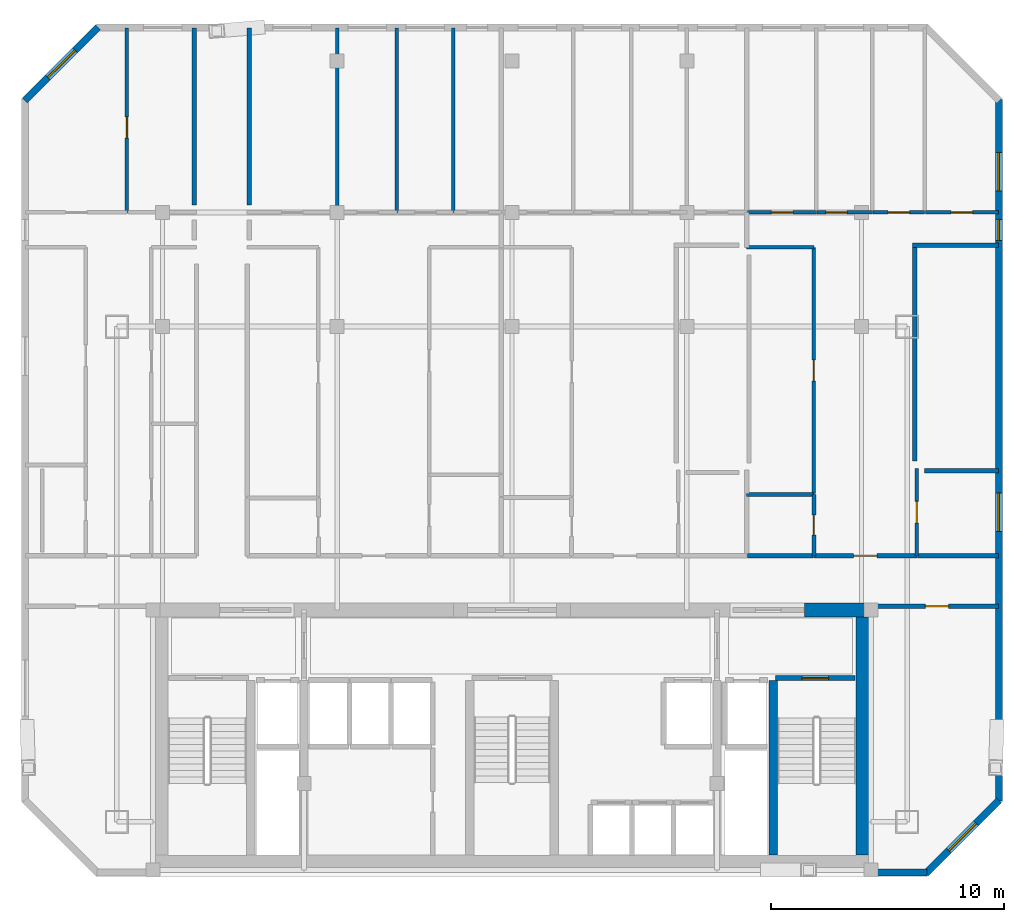
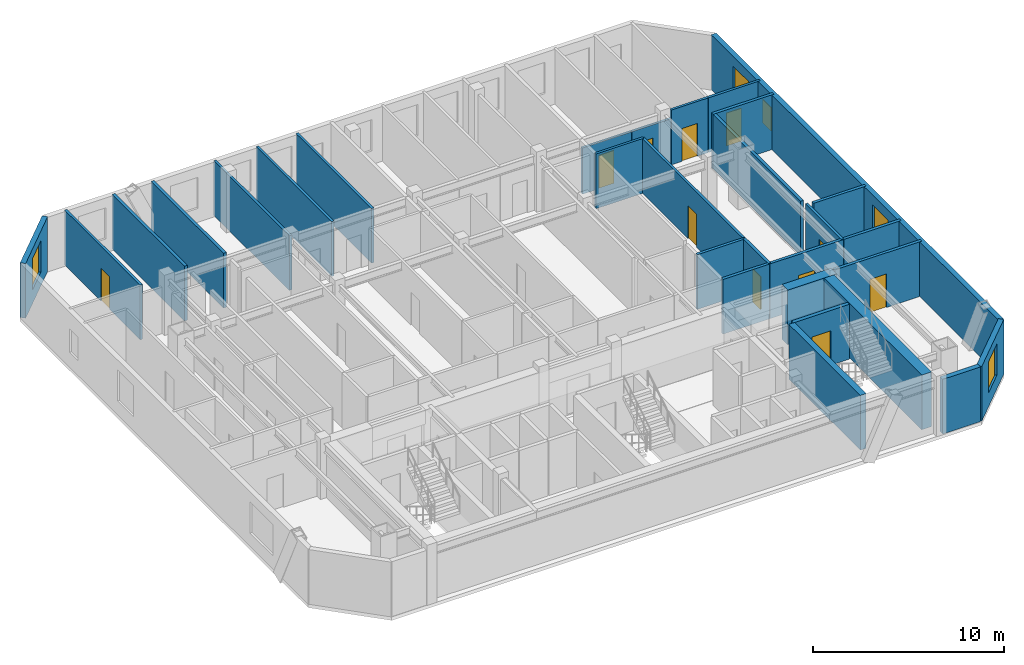
# One storey, part 5 of 7: 30 walls, 11 doors, 5 windows, 16 openings.
"""IFC4 building model written with IfcOpenShell, lengths in metres."""

from ifc_helpers import new_model, si_unit, direction, frame, frame_2d, origin, place, context, subcontext, project, spatial, rectangle, extrude, material, layer, layer_set, type_object, element, fill, save


model = new_model("IFC4")

# Units and contexts
model_context = context("Model", 3, precision=1e-05, world=origin(), true_north=direction((0.0, 1.0)))
body_context = subcontext(model_context, "Body", "Model", "MODEL_VIEW")
ifc_project = project(units=[si_unit("LENGTHUNIT", "METRE"), si_unit("AREAUNIT", "SQUARE_METRE"), si_unit("VOLUMEUNIT", "CUBIC_METRE"), si_unit("PLANEANGLEUNIT", "RADIAN"), si_unit("MASSUNIT", "GRAM", prefix="KILO")], contexts=[model_context])

# Site, building, storey
site_placement = place(None, origin())
site = spatial("IfcSite", under=ifc_project, at=site_placement, CompositionType="ELEMENT")
building_placement = place(site_placement, origin())
building = spatial("IfcBuilding", under=site, at=building_placement, Name="Ventersveld Concourse Tower", CompositionType="ELEMENT")
storey_placement = place(building_placement, frame((0.0, 0.0, 242.64990234375)))
storey = spatial("IfcBuildingStorey", under=building, at=storey_placement, Name="L60", CompositionType="ELEMENT", Elevation=242.64990234375)

# Walls
ifc_material_1 = material(Name="Concrete C50/60", Category="concrete")
ifc_layer_1 = layer(ifc_material_1, 0.35009765625)
ifc_layer_set_1 = layer_set([ifc_layer_1], Name="Concrete C50/60")
wall_type_1 = type_object("IfcWallType", Name="WL-CORE-350U", PredefinedType="SHEAR", material=ifc_layer_set_1)
wall_1_placement = place(storey_placement, frame((39.9599609375, 0.919921875, 0.0), z_axis=(0.0, 0.0, 1.0), x_axis=(0.0, 1.0, 0.0)))
element("IfcWall", 1, at=wall_1_placement, inside=storey, type_object=wall_type_1, Name="L60 Core Internal Shear Web W-ST2-W", PredefinedType="SHEAR", context=body_context, shape_type="SweptSolid", body=[
    extrude(rectangle(XDim=7.5, YDim=0.35009765625, at=frame_2d((3.75, 0.0))), origin(), (0.0, 0.0, 1.0), 3.5),
])
ifc_layer_2 = layer(ifc_material_1, 0.60009765625)
ifc_layer_set_2 = layer_set([ifc_layer_2], Name="Concrete C50/60")
wall_type_2 = type_object("IfcWallType", Name="WL-CORE-600", PredefinedType="SHEAR", material=ifc_layer_set_2)
wall_2_placement = place(storey_placement, frame((43.800048828125, 0.919921875, 0.0), z_axis=(0.0, 0.0, 1.0), x_axis=(0.0, 1.0, 0.0)))
element("IfcWall", 2, at=wall_2_placement, inside=storey, type_object=wall_type_2, Name="L60 Rear Core East Shear Wall", PredefinedType="SHEAR", context=body_context, shape_type="SweptSolid", body=[
    extrude(rectangle(XDim=10.530029296875, YDim=0.60009765625, at=frame_2d((5.26513671875, 0.0))), origin(), (0.0, 0.0, 1.0), 3.5),
])
wall_3_placement = place(storey_placement, frame((41.300048828125, 11.449951171875, 0.0), z_axis=(0.0, 0.0, 1.0), x_axis=(1.0, 0.0, 0.0)))
element("IfcWall", 3, at=wall_3_placement, inside=storey, type_object=wall_type_2, Name="L60 Rear Core North Shear Wall NE", PredefinedType="SHEAR", context=body_context, shape_type="SweptSolid", body=[
    extrude(rectangle(XDim=2.949951171875, YDim=0.60009765625, at=frame_2d((1.47509765625, 0.0))), origin(), (0.0, 0.0, 1.0), 3.5),
])

# Wall, opening, door
ifc_material_2 = material(Name="Fire-rated autoclaved aerated masonry blockwork", Category="masonry")
ifc_layer_3 = layer(ifc_material_2, 0.179931640625)
ifc_layer_set_3 = layer_set([ifc_layer_3], Name="Fire-rated autoclaved aerated masonry blockwork")
wall_type_3 = type_object("IfcWallType", Name="WL-CORR-180", PredefinedType="PARTITIONING", material=ifc_layer_set_3)
wall_4_placement = place(storey_placement, frame((44.35498046875, 11.60009765625, 0.0), z_axis=(0.0, 0.0, 1.0), x_axis=(1.0, 0.0, 0.0)))
wall_4 = element("IfcWall", 4, at=wall_4_placement, inside=storey, type_object=wall_type_3, Name="L60 Interior Partition SP-L60-SE-OFF-SP-L60-COR", PredefinedType="PARTITIONING", context=body_context, shape_type="SweptSolid", body=[
    extrude(rectangle(XDim=5.25927734375, YDim=0.179931640625, at=frame_2d((2.629638671875, 0.0))), origin(), (0.0, 0.0, 1.0), 3.5),
])
opening_1_placement = place(wall_4_placement, frame((2.129638671875, 0.0, 0.0)))
opening_1 = element("IfcOpeningElement", 5, at=opening_1_placement, cuts=wall_4, Name="Opening FD3", PredefinedType="OPENING", context=body_context, shape_type="SweptSolid", body=[
    extrude(rectangle(XDim=1.0, YDim=2.14990234375, at=frame_2d((0.5, 1.074951171875))), frame((0.0, 0.10009765625, 0.0), z_axis=(0.0, -1.0, 0.0), x_axis=(1.0, 0.0, 0.0)), (0.0, 0.0, 1.0), 0.199951171875),
])
ifc_material_3 = material(Name="Solid-core hardwood veneer timber", Category="wood")
door_type_1 = type_object("IfcDoorType", Name="DR-FLAT-100", OperationType="NOTDEFINED", PredefinedType="DOOR", material=ifc_material_3)
door_1_placement = place(opening_1_placement, origin())
door_1 = element("IfcDoor", 6, at=door_1_placement, inside=storey, type_object=door_type_1, Name="L60 Interior Door SP-L60-SE-OFF to SP-L60-COR (D-L60-2876)", OperationType="SINGLE_SWING_RIGHT", OverallHeight=2.14990234375, OverallWidth=1.0, PredefinedType="DOOR", context=body_context, shape_type="SweptSolid", body=[
    extrude(rectangle(XDim=1.0, YDim=2.14990234375, at=frame_2d((0.5, 1.074951171875))), frame((0.0, 0.02490234375, 0.0), z_axis=(0.0, -1.0, 0.0), x_axis=(1.0, 0.0, 0.0)), (0.0, 0.0, 1.0), 0.050048828125),
])
fill(opening_1, door_1)

wall_5_placement = place(storey_placement, frame((41.69677734375, 13.77001953125, 0.0), z_axis=(0.0, 0.0, 1.0), x_axis=(1.0, 0.0, 0.0)))
wall_5 = element("IfcWall", 7, at=wall_5_placement, inside=storey, type_object=wall_type_3, Name="L60 Interior Partition SP-L60-COR-SP-L60-60N3-LIV", PredefinedType="PARTITIONING", context=body_context, shape_type="SweptSolid", body=[
    extrude(rectangle(XDim=4.4267578125, YDim=0.179931640625, at=frame_2d((2.21337890625, 0.0))), origin(), (0.0, 0.0, 1.0), 3.5),
])
opening_2_placement = place(wall_5_placement, frame((1.71337890625, 0.0, 0.0)))
opening_2 = element("IfcOpeningElement", 8, at=opening_2_placement, cuts=wall_5, Name="Opening FD3", PredefinedType="OPENING", context=body_context, shape_type="SweptSolid", body=[
    extrude(rectangle(XDim=1.0, YDim=2.14990234375, at=frame_2d((0.5, 1.074951171875))), frame((0.0, 0.10009765625, 0.0), z_axis=(0.0, -1.0, 0.0), x_axis=(1.0, 0.0, 0.0)), (0.0, 0.0, 1.0), 0.199951171875),
])
door_2_placement = place(opening_2_placement, origin())
door_2 = element("IfcDoor", 9, at=door_2_placement, inside=storey, type_object=door_type_1, Name="L60 Interior Door SP-L60-COR to SP-L60-60N3-LIV (FD-L60-2880)", OperationType="SINGLE_SWING_RIGHT", OverallHeight=2.14990234375, OverallWidth=1.0, PredefinedType="DOOR", context=body_context, shape_type="SweptSolid", body=[
    extrude(rectangle(XDim=1.0, YDim=2.14990234375, at=frame_2d((0.5, 1.074951171875))), frame((0.0, 0.02490234375, 0.0), z_axis=(0.0, -1.0, 0.0), x_axis=(1.0, 0.0, 0.0)), (0.0, 0.0, 1.0), 0.050048828125),
])
fill(opening_2, door_2)

# Walls
wall_6_placement = place(storey_placement, frame((38.858642578125, 13.77001953125, 0.0), z_axis=(0.0, 0.0, 1.0), x_axis=(1.0, 0.0, 0.0)))
element("IfcWall", 10, at=wall_6_placement, inside=storey, type_object=wall_type_3, Name="L60 Interior Partition SP-L60-COR-SP-L60-60N3-BATH", PredefinedType="PARTITIONING", context=body_context, shape_type="SweptSolid", body=[
    extrude(rectangle(XDim=2.80810546875, YDim=0.179931640625, at=frame_2d((1.404052734375, 0.0))), origin(), (0.0, 0.0, 1.0), 3.5),
])
wall_7_placement = place(storey_placement, frame((46.153564453125, 13.77001953125, 0.0), z_axis=(0.0, 0.0, 1.0), x_axis=(1.0, 0.0, 0.0)))
element("IfcWall", 11, at=wall_7_placement, inside=storey, type_object=wall_type_3, Name="L60 Interior Partition SP-L60-COR-SP-L60-60N3-KIT", PredefinedType="PARTITIONING", context=body_context, shape_type="SweptSolid", body=[
    extrude(rectangle(XDim=3.460693359375, YDim=0.179931640625, at=frame_2d((1.73046875, 0.0))), origin(), (0.0, 0.0, 1.0), 3.5),
])
for number, where, z_axis, x_axis, name in (
    (12, (15.1201171875, 36.41064453125, 0.0), (0.0, 0.0, 1.0), (0.0, -1.0, 0.0), "L60 Room Enclosure Wall SP-L60-60NW-BR2"),
    (13, (17.47998046875, 28.824951171875, 0.0), (0.0, 0.0, 1.0), (0.0, 1.0, 0.0), "L60 Room Enclosure Wall SP-L60-60N1-BR1"),
):
    element("IfcWall", number, at=place(storey_placement, frame(where, z_axis=z_axis, x_axis=x_axis)), inside=storey, type_object=wall_type_3, Name=name, PredefinedType="PARTITIONING", context=body_context, shape_type="SweptSolid", body=[
        extrude(rectangle(XDim=7.585693359375, YDim=0.179931640625, at=frame_2d((3.79296875, 0.0))), origin(), (0.0, 0.0, 1.0), 3.5),
    ])
wall_8_placement = place(storey_placement, frame((49.6142578125, 27.090087890625, 0.0), z_axis=(0.0, 0.0, 1.0), x_axis=(-1.0, 0.0, 0.0)))
element("IfcWall", 14, at=wall_8_placement, inside=storey, type_object=wall_type_3, Name="L60 Room Enclosure Wall SP-L60-60N3-LIV", PredefinedType="PARTITIONING", context=body_context, shape_type="SweptSolid", body=[
    extrude(rectangle(XDim=3.6806640625, YDim=0.179931640625, at=frame_2d((1.84033203125, 0.0))), origin(), (0.0, 0.0, 1.0), 3.5),
])
wall_9_placement = place(storey_placement, frame((46.028564453125, 27.18505859375, 0.0), z_axis=(0.0, 0.0, 1.0), x_axis=(0.0, -1.0, 0.0)))
element("IfcWall", 15, at=wall_9_placement, inside=storey, type_object=wall_type_3, Name="L60 Room Enclosure Wall SP-L60-60N3-LIV", PredefinedType="PARTITIONING", context=body_context, shape_type="SweptSolid", body=[
    extrude(rectangle(XDim=9.357177734375, YDim=0.179931640625, at=frame_2d((4.6787109375, 0.0))), origin(), (0.0, 0.0, 1.0), 3.5),
])
wall_10_placement = place(storey_placement, frame((46.443603515625, 17.418212890625, 0.0), z_axis=(0.0, 0.0, 1.0), x_axis=(1.0, 0.0, 0.0)))
element("IfcWall", 16, at=wall_10_placement, inside=storey, type_object=wall_type_3, Name="L60 Room Enclosure Wall SP-L60-60N3-KIT", PredefinedType="PARTITIONING", context=body_context, shape_type="SweptSolid", body=[
    extrude(rectangle(XDim=3.170654296875, YDim=0.179931640625, at=frame_2d((1.58544921875, 0.0))), origin(), (0.0, 0.0, 1.0), 3.5),
])

# Wall, opening, door
ifc_layer_4 = layer(ifc_material_2, 0.219970703125)
ifc_layer_set_4 = layer_set([ifc_layer_4], Name="Fire-rated autoclaved aerated masonry blockwork")
wall_type_4 = type_object("IfcWallType", Name="WL-HOIST-220", PredefinedType="SOLIDWALL", material=ifc_layer_set_4)
wall_11_placement = place(storey_placement, frame((40.06005859375, 8.52001953125, 0.0), z_axis=(0.0, 0.0, 1.0), x_axis=(1.0, 0.0, 0.0)))
wall_11 = element("IfcWall", 17, at=wall_11_placement, inside=storey, type_object=wall_type_4, Name="L60 Escape Stair ST02 Fire Wall", PredefinedType="SOLIDWALL", context=body_context, shape_type="SweptSolid", body=[
    extrude(rectangle(XDim=3.39990234375, YDim=0.219970703125, at=frame_2d((1.699951171875, 0.0))), origin(), (0.0, 0.0, 1.0), 3.5),
])
opening_3_placement = place(wall_11_placement, frame((1.125, 0.0, 0.0)))
opening_3 = element("IfcOpeningElement", 18, at=opening_3_placement, cuts=wall_11, Name="Opening FD1", PredefinedType="OPENING", context=body_context, shape_type="SweptSolid", body=[
    extrude(rectangle(XDim=1.14990234375, YDim=2.199951171875, at=frame_2d((0.574951171875, 1.10009765625))), frame((0.0, 0.1201171875, 0.0), z_axis=(0.0, -1.0, 0.0), x_axis=(1.0, 0.0, 0.0)), (0.0, 0.0, 1.0), 0.239990234375),
])
ifc_material_4 = material(Name="Galvanised painted steel", Category="steel")
door_type_2 = type_object("IfcDoorType", Name="DR-STAIR-115", OperationType="NOTDEFINED", PredefinedType="DOOR", material=ifc_material_4)
door_3_placement = place(opening_3_placement, origin())
door_3 = element("IfcDoor", 19, at=door_3_placement, inside=storey, type_object=door_type_2, Name="L60 Escape Stair Door ST02 (SD-L60-2867)", OperationType="SINGLE_SWING_RIGHT", OverallHeight=2.199951171875, OverallWidth=1.14990234375, PredefinedType="DOOR", context=body_context, shape_type="SweptSolid", body=[
    extrude(rectangle(XDim=1.14990234375, YDim=2.199951171875, at=frame_2d((0.574951171875, 1.10009765625))), frame((0.0, 0.02490234375, 0.0), z_axis=(0.0, -1.0, 0.0), x_axis=(1.0, 0.0, 0.0)), (0.0, 0.0, 1.0), 0.050048828125),
])
fill(opening_3, door_3)

ifc_material_5 = material(Name="Autoclaved aerated masonry blockwork", Category="masonry")
ifc_layer_5 = layer(ifc_material_5, 0.14990234375)
ifc_layer_set_5 = layer_set([ifc_layer_5], Name="Autoclaved aerated masonry blockwork")
wall_type_5 = type_object("IfcWallType", Name="WL-INT-150", PredefinedType="PARTITIONING", material=ifc_layer_set_5)
wall_12_placement = place(storey_placement, frame((12.22998046875, 28.4951171875, 0.0), z_axis=(0.0, 0.0, 1.0), x_axis=(0.0, 1.0, 0.0)))
wall_12 = element("IfcWall", 20, at=wall_12_placement, inside=storey, type_object=wall_type_5, Name="L60 Interior Partition SP-L60-60NW-BR1-SP-L60-60NW-BR2", PredefinedType="PARTITIONING", context=body_context, shape_type="SweptSolid", body=[
    extrude(rectangle(XDim=7.91552734375, YDim=0.14990234375, at=frame_2d((3.957763671875, 0.0))), origin(), (0.0, 0.0, 1.0), 3.5),
])
opening_4_placement = place(wall_12_placement, frame((3.19140625, 0.0, 0.0)))
opening_4 = element("IfcOpeningElement", 21, at=opening_4_placement, cuts=wall_12, Name="Opening ID1", PredefinedType="OPENING", context=body_context, shape_type="SweptSolid", body=[
    extrude(rectangle(XDim=0.919921875, YDim=2.10009765625, at=frame_2d((0.4599609375, 1.050048828125))), frame((0.0, 0.0849609375, 0.0), z_axis=(0.0, -1.0, 0.0), x_axis=(1.0, 0.0, 0.0)), (0.0, 0.0, 1.0), 0.169921875),
])
door_type_3 = type_object("IfcDoorType", Name="DR-ROOM-092", OperationType="NOTDEFINED", PredefinedType="DOOR", material=ifc_material_3)
door_4_placement = place(opening_4_placement, origin())
door_4 = element("IfcDoor", 22, at=door_4_placement, inside=storey, type_object=door_type_3, Name="L60 Interior Door Flat 60NW Bedroom 2 (D-L60-2910)", OperationType="SINGLE_SWING_LEFT", OverallHeight=2.10009765625, OverallWidth=0.919921875, PredefinedType="DOOR", context=body_context, shape_type="SweptSolid", body=[
    extrude(rectangle(XDim=0.919921875, YDim=2.10009765625, at=frame_2d((0.4599609375, 1.050048828125))), frame((0.0, 0.02490234375, 0.0), z_axis=(0.0, -1.0, 0.0), x_axis=(1.0, 0.0, 0.0)), (0.0, 0.0, 1.0), 0.050048828125),
])
fill(opening_4, door_4)

# Walls
for number, where, z_axis, x_axis, name in (
    (23, (21.25, 28.4951171875, 0.0), (0.0, 0.0, 1.0), (0.0, 1.0, 0.0), "L60 Interior Partition SP-L60-60N1-BR1-SP-L60-60N1-BR2"),
    (24, (23.8154296875, 28.4951171875, 0.0), (0.0, 0.0, 1.0), (0.0, 1.0, 0.0), "L60 Interior Partition SP-L60-60N1-BR2-SP-L60-60N1-BR3"),
    (25, (26.221923828125, 28.4951171875, 0.0), (0.0, 0.0, 1.0), (0.0, 1.0, 0.0), "L60 Interior Partition SP-L60-60N1-BR3-SP-L60-60N1-BR4"),
):
    element("IfcWall", number, at=place(storey_placement, frame(where, z_axis=z_axis, x_axis=x_axis)), inside=storey, type_object=wall_type_5, Name=name, PredefinedType="PARTITIONING", context=body_context, shape_type="SweptSolid", body=[
        extrude(rectangle(XDim=7.91552734375, YDim=0.14990234375, at=frame_2d((3.957763671875, 0.0))), origin(), (0.0, 0.0, 1.0), 3.5),
    ])

# Wall, opening, door
wall_13_placement = place(storey_placement, frame((41.701904296875, 16.43115234375, 0.0), z_axis=(0.0, 0.0, 1.0), x_axis=(0.0, 1.0, 0.0)))
wall_13 = element("IfcWall", 26, at=wall_13_placement, inside=storey, type_object=wall_type_5, Name="L60 Interior Partition SP-L60-60N3-LIV-SP-L60-60N3-OFFL0", PredefinedType="PARTITIONING", context=body_context, shape_type="SweptSolid", body=[
    extrude(rectangle(XDim=10.57373046875, YDim=0.14990234375, at=frame_2d((5.286865234375, 0.0))), origin(), (0.0, 0.0, 1.0), 3.5),
])
opening_5_placement = place(wall_13_placement, frame((4.826904296875, 0.0, 0.0)))
opening_5 = element("IfcOpeningElement", 27, at=opening_5_placement, cuts=wall_13, Name="Opening ID1", PredefinedType="OPENING", context=body_context, shape_type="SweptSolid", body=[
    extrude(rectangle(XDim=0.919921875, YDim=2.10009765625, at=frame_2d((0.4599609375, 1.050048828125))), frame((0.0, 0.0849609375, 0.0), z_axis=(0.0, -1.0, 0.0), x_axis=(1.0, 0.0, 0.0)), (0.0, 0.0, 1.0), 0.169921875),
])
door_5_placement = place(opening_5_placement, origin())
door_5 = element("IfcDoor", 28, at=door_5_placement, inside=storey, type_object=door_type_3, Name="L60 Interior Door SP-L60-60N3-LIV to SP-L60-60N3-OFFL0 (D-L60-2903)", OperationType="SINGLE_SWING_LEFT", OverallHeight=2.10009765625, OverallWidth=0.919921875, PredefinedType="DOOR", context=body_context, shape_type="SweptSolid", body=[
    extrude(rectangle(XDim=0.919921875, YDim=2.10009765625, at=frame_2d((0.4599609375, 1.050048828125))), frame((0.0, 0.02490234375, 0.0), z_axis=(0.0, -1.0, 0.0), x_axis=(1.0, 0.0, 0.0)), (0.0, 0.0, 1.0), 0.050048828125),
])
fill(opening_5, door_5)

# Wall
wall_14_placement = place(storey_placement, frame((38.818603515625, 27.0, 0.0), z_axis=(0.0, 0.0, 1.0), x_axis=(1.0, 0.0, 0.0)))
element("IfcWall", 29, at=wall_14_placement, inside=storey, type_object=wall_type_5, Name="L60 Interior Partition SP-L60-60N3-LIV-SP-L60-60N3-OFFL0", PredefinedType="PARTITIONING", context=body_context, shape_type="SweptSolid", body=[
    extrude(rectangle(XDim=2.88818359375, YDim=0.14990234375, at=frame_2d((1.444091796875, 0.0))), origin(), (0.0, 0.0, 1.0), 3.5),
])

# Wall, opening, door
wall_15_placement = place(storey_placement, frame((46.11865234375, 13.764892578125, 0.0), z_axis=(0.0, 0.0, 1.0), x_axis=(0.0, 1.0, 0.0)))
wall_15 = element("IfcWall", 30, at=wall_15_placement, inside=storey, type_object=wall_type_5, Name="L60 Interior Partition SP-L60-60N3-LIV-SP-L60-60N3-KIT", PredefinedType="PARTITIONING", context=body_context, shape_type="SweptSolid", body=[
    extrude(rectangle(XDim=3.748291015625, YDim=0.14990234375, at=frame_2d((1.8740234375, 0.0))), origin(), (0.0, 0.0, 1.0), 3.5),
])
opening_6_placement = place(wall_15_placement, frame((1.4140625, 0.0, 0.0)))
opening_6 = element("IfcOpeningElement", 31, at=opening_6_placement, cuts=wall_15, Name="Opening ID1", PredefinedType="OPENING", context=body_context, shape_type="SweptSolid", body=[
    extrude(rectangle(XDim=0.919921875, YDim=2.10009765625, at=frame_2d((0.4599609375, 1.050048828125))), frame((0.0, 0.0849609375, 0.0), z_axis=(0.0, -1.0, 0.0), x_axis=(1.0, 0.0, 0.0)), (0.0, 0.0, 1.0), 0.169921875),
])
door_6_placement = place(opening_6_placement, origin())
door_6 = element("IfcDoor", 32, at=door_6_placement, inside=storey, type_object=door_type_3, Name="L60 Interior Door SP-L60-60N3-LIV to SP-L60-60N3-KIT (D-L60-2904)", OperationType="SINGLE_SWING_RIGHT", OverallHeight=2.10009765625, OverallWidth=0.919921875, PredefinedType="DOOR", context=body_context, shape_type="SweptSolid", body=[
    extrude(rectangle(XDim=0.919921875, YDim=2.10009765625, at=frame_2d((0.4599609375, 1.050048828125))), frame((0.0, 0.02490234375, 0.0), z_axis=(0.0, -1.0, 0.0), x_axis=(1.0, 0.0, 0.0)), (0.0, 0.0, 1.0), 0.050048828125),
])
fill(opening_6, door_6)

wall_16_placement = place(storey_placement, frame((38.858642578125, 28.5, 0.0), z_axis=(0.0, 0.0, 1.0), x_axis=(1.0, 0.0, 0.0)))
wall_16 = element("IfcWall", 33, at=wall_16_placement, inside=storey, type_object=wall_type_5, Name="L60 Interior Partition SP-L60-60N3-LIV-SP-L60-60N3-BR1", PredefinedType="PARTITIONING", context=body_context, shape_type="SweptSolid", body=[
    extrude(rectangle(XDim=2.956298828125, YDim=0.14990234375, at=frame_2d((1.47802734375, 0.0))), origin(), (0.0, 0.0, 1.0), 2.95556640625),
])
opening_7_placement = place(wall_16_placement, frame((1.018310546875, 0.0, 0.0)))
opening_7 = element("IfcOpeningElement", 34, at=opening_7_placement, cuts=wall_16, Name="Opening ID1", PredefinedType="OPENING", context=body_context, shape_type="SweptSolid", body=[
    extrude(rectangle(XDim=0.919921875, YDim=2.10009765625, at=frame_2d((0.4599609375, 1.050048828125))), frame((0.0, 0.0849609375, 0.0), z_axis=(0.0, -1.0, 0.0), x_axis=(1.0, 0.0, 0.0)), (0.0, 0.0, 1.0), 0.169921875),
])
door_7_placement = place(opening_7_placement, origin())
door_7 = element("IfcDoor", 35, at=door_7_placement, inside=storey, type_object=door_type_3, Name="L60 Interior Door SP-L60-60N3-LIV to SP-L60-60N3-BR1 (D-L60-2905)", OperationType="SINGLE_SWING_LEFT", OverallHeight=2.10009765625, OverallWidth=0.919921875, PredefinedType="DOOR", context=body_context, shape_type="SweptSolid", body=[
    extrude(rectangle(XDim=0.919921875, YDim=2.10009765625, at=frame_2d((0.4599609375, 1.050048828125))), frame((0.0, 0.02490234375, 0.0), z_axis=(0.0, -1.0, 0.0), x_axis=(1.0, 0.0, 0.0)), (0.0, 0.0, 1.0), 0.050048828125),
])
fill(opening_7, door_7)

wall_17_placement = place(storey_placement, frame((41.844970703125, 28.5, 0.0), z_axis=(0.0, 0.0, 1.0), x_axis=(1.0, 0.0, 0.0)))
wall_17 = element("IfcWall", 36, at=wall_17_placement, inside=storey, type_object=wall_type_5, Name="L60 Interior Partition SP-L60-60N3-LIV-SP-L60-60N3-BR2", PredefinedType="PARTITIONING", context=body_context, shape_type="SweptSolid", body=[
    extrude(rectangle(XDim=2.36572265625, YDim=0.14990234375, at=frame_2d((1.182861328125, 0.0))), origin(), (0.0, 0.0, 1.0), 2.95556640625),
])
opening_8_placement = place(wall_17_placement, frame((0.367919921875, 0.0, 0.0)))
opening_8 = element("IfcOpeningElement", 37, at=opening_8_placement, cuts=wall_17, Name="Opening ID1", PredefinedType="OPENING", context=body_context, shape_type="SweptSolid", body=[
    extrude(rectangle(XDim=0.919921875, YDim=2.10009765625, at=frame_2d((0.4599609375, 1.050048828125))), frame((0.0, 0.0849609375, 0.0), z_axis=(0.0, -1.0, 0.0), x_axis=(1.0, 0.0, 0.0)), (0.0, 0.0, 1.0), 0.169921875),
])
door_8_placement = place(opening_8_placement, origin())
door_8 = element("IfcDoor", 38, at=door_8_placement, inside=storey, type_object=door_type_3, Name="L60 Interior Door SP-L60-60N3-LIV to SP-L60-60N3-BR2 (D-L60-2906)", OperationType="SINGLE_SWING_RIGHT", OverallHeight=2.10009765625, OverallWidth=0.919921875, PredefinedType="DOOR", context=body_context, shape_type="SweptSolid", body=[
    extrude(rectangle(XDim=0.919921875, YDim=2.10009765625, at=frame_2d((0.4599609375, 1.050048828125))), frame((0.0, 0.02490234375, 0.0), z_axis=(0.0, -1.0, 0.0), x_axis=(1.0, 0.0, 0.0)), (0.0, 0.0, 1.0), 0.050048828125),
])
fill(opening_8, door_8)

wall_18_placement = place(storey_placement, frame((44.240478515625, 28.5, 0.0), z_axis=(0.0, 0.0, 1.0), x_axis=(1.0, 0.0, 0.0)))
wall_18 = element("IfcWall", 39, at=wall_18_placement, inside=storey, type_object=wall_type_5, Name="L60 Interior Partition SP-L60-60N3-LIV-SP-L60-60N3-BR3", PredefinedType="PARTITIONING", context=body_context, shape_type="SweptSolid", body=[
    extrude(rectangle(XDim=2.218017578125, YDim=0.14990234375, at=frame_2d((1.10888671875, 0.0))), origin(), (0.0, 0.0, 1.0), 3.5),
])
opening_9_placement = place(wall_18_placement, frame((0.64892578125, 0.0, 0.0)))
opening_9 = element("IfcOpeningElement", 40, at=opening_9_placement, cuts=wall_18, Name="Opening ID1", PredefinedType="OPENING", context=body_context, shape_type="SweptSolid", body=[
    extrude(rectangle(XDim=0.919921875, YDim=2.10009765625, at=frame_2d((0.4599609375, 1.050048828125))), frame((0.0, 0.0849609375, 0.0), z_axis=(0.0, -1.0, 0.0), x_axis=(1.0, 0.0, 0.0)), (0.0, 0.0, 1.0), 0.169921875),
])
door_9_placement = place(opening_9_placement, origin())
door_9 = element("IfcDoor", 41, at=door_9_placement, inside=storey, type_object=door_type_3, Name="L60 Interior Door SP-L60-60N3-LIV to SP-L60-60N3-BR3 (D-L60-2907)", OperationType="SINGLE_SWING_LEFT", OverallHeight=2.10009765625, OverallWidth=0.919921875, PredefinedType="DOOR", context=body_context, shape_type="SweptSolid", body=[
    extrude(rectangle(XDim=0.919921875, YDim=2.10009765625, at=frame_2d((0.4599609375, 1.050048828125))), frame((0.0, 0.02490234375, 0.0), z_axis=(0.0, -1.0, 0.0), x_axis=(1.0, 0.0, 0.0)), (0.0, 0.0, 1.0), 0.050048828125),
])
fill(opening_9, door_9)

wall_19_placement = place(storey_placement, frame((46.488525390625, 28.5, 0.0), z_axis=(0.0, 0.0, 1.0), x_axis=(1.0, 0.0, 0.0)))
wall_19 = element("IfcWall", 42, at=wall_19_placement, inside=storey, type_object=wall_type_5, Name="L60 Interior Partition SP-L60-60N3-LIV-SP-L60-60N3-BR4", PredefinedType="PARTITIONING", context=body_context, shape_type="SweptSolid", body=[
    extrude(rectangle(XDim=3.125732421875, YDim=0.14990234375, at=frame_2d((1.56298828125, 0.0))), origin(), (0.0, 0.0, 1.0), 3.5),
])
opening_10_placement = place(wall_19_placement, frame((1.102783203125, 0.0, 0.0)))
opening_10 = element("IfcOpeningElement", 43, at=opening_10_placement, cuts=wall_19, Name="Opening ID1", PredefinedType="OPENING", context=body_context, shape_type="SweptSolid", body=[
    extrude(rectangle(XDim=0.919921875, YDim=2.10009765625, at=frame_2d((0.4599609375, 1.050048828125))), frame((0.0, 0.0849609375, 0.0), z_axis=(0.0, -1.0, 0.0), x_axis=(1.0, 0.0, 0.0)), (0.0, 0.0, 1.0), 0.169921875),
])
door_10_placement = place(opening_10_placement, origin())
door_10 = element("IfcDoor", 44, at=door_10_placement, inside=storey, type_object=door_type_3, Name="L60 Interior Door SP-L60-60N3-LIV to SP-L60-60N3-BR4 (D-L60-2908)", OperationType="SINGLE_SWING_RIGHT", OverallHeight=2.10009765625, OverallWidth=0.919921875, PredefinedType="DOOR", context=body_context, shape_type="SweptSolid", body=[
    extrude(rectangle(XDim=0.919921875, YDim=2.10009765625, at=frame_2d((0.4599609375, 1.050048828125))), frame((0.0, 0.02490234375, 0.0), z_axis=(0.0, -1.0, 0.0), x_axis=(1.0, 0.0, 0.0)), (0.0, 0.0, 1.0), 0.050048828125),
])
fill(opening_10, door_10)

# Wall
ifc_material_6 = material(Name="Precast concrete C45/55", Category="concrete")
ifc_layer_6 = layer(ifc_material_6, 0.300048828125)
ifc_layer_set_6 = layer_set([ifc_layer_6], Name="Precast concrete C45/55")
wall_type_6 = type_object("IfcWallType", Name="WL-PREC-300", PredefinedType="SOLIDWALL", material=ifc_layer_set_6)
wall_20_placement = place(storey_placement, frame((44.25, 0.179931640625, 0.0), z_axis=(0.0, 0.0, 1.0), x_axis=(1.0, 0.0, 0.0)))
element("IfcWall", 45, at=wall_20_placement, inside=storey, type_object=wall_type_6, Name="L60 South-East Flank Precast Wall", PredefinedType="SOLIDWALL", context=body_context, shape_type="SweptSolid", body=[
    extrude(rectangle(XDim=2.296630859375, YDim=0.300048828125, at=frame_2d((1.1484375, 0.0))), origin(), (0.0, 0.0, 1.0), 3.5),
])

# Wall, opening, window
wall_21_placement = place(storey_placement, frame((46.5087890625, 0.134521484375, 0.0), z_axis=(0.0, 0.0, 1.0), x_axis=(0.707134240044, 0.707079321262, 0.0)))
wall_21 = element("IfcWall", 46, at=wall_21_placement, inside=storey, type_object=wall_type_6, Name="L60 Highveld Precast Facade Wall E02", PredefinedType="SOLIDWALL", context=body_context, shape_type="SweptSolid", body=[
    extrude(rectangle(XDim=4.445556640625, YDim=0.300048828125, at=frame_2d((2.22265625, 0.0))), origin(), (0.0, 0.0, 1.0), 3.5),
])
opening_11_placement = place(wall_21_placement, frame((1.397705078125, 0.0, 0.8798828125)))
opening_11 = element("IfcOpeningElement", 47, at=opening_11_placement, cuts=wall_21, Name="Opening W6", PredefinedType="OPENING", context=body_context, shape_type="SweptSolid", body=[
    extrude(rectangle(XDim=1.64990234375, YDim=2.0, at=frame_2d((0.824951171875, 1.0))), frame((0.0, 0.16015625, 0.0), z_axis=(0.0, -1.0, 0.0), x_axis=(1.0, 0.0, 0.0)), (0.0, 0.0, 1.0), 0.320068359375),
])
ifc_material_7 = material(Name="Tempered acoustic Low-E IGU", Category="glass")
window_type_1 = type_object("IfcWindowType", Name="WIN-165x200", PartitioningType="SINGLE_PANEL", PredefinedType="WINDOW", material=ifc_material_7)
window_1_placement = place(opening_11_placement, origin())
window_1 = element("IfcWindow", 48, at=window_1_placement, inside=storey, type_object=window_type_1, Name="L60 Punched Low-E Window W-0860", OverallHeight=2.0, OverallWidth=1.64990234375, PartitioningType="SINGLE_PANEL", PredefinedType="WINDOW", context=body_context, shape_type="SweptSolid", body=[
    extrude(rectangle(XDim=1.64990234375, YDim=2.0, at=frame_2d((0.824951171875, 1.0))), frame((0.0, 0.030029296875, 0.0), z_axis=(0.0, -1.0, 0.0), x_axis=(1.0, 0.0, 0.0)), (0.0, 0.0, 1.0), 0.06005859375),
])
fill(opening_11, window_1)

# Wall, openings, windows
wall_22_placement = place(storey_placement, frame((49.63671875, 3.239990234375, 0.0), z_axis=(0.0, 0.0, 1.0), x_axis=(0.0, 1.0, 0.0)))
wall_22 = element("IfcWall", 49, at=wall_22_placement, inside=storey, type_object=wall_type_6, Name="L60 Highveld Precast Facade Wall E03", PredefinedType="SOLIDWALL", context=body_context, shape_type="SweptSolid", body=[
    extrude(rectangle(XDim=30.10302734375, YDim=0.300048828125, at=frame_2d((15.051513671875, 0.0))), origin(), (0.0, 0.0, 1.0), 3.5),
])
opening_12_placement = place(wall_22_placement, frame((24.06005859375, 0.0, 0.949951171875)))
opening_12 = element("IfcOpeningElement", 50, at=opening_12_placement, cuts=wall_22, Name="Opening W4", PredefinedType="OPENING", context=body_context, shape_type="SweptSolid", body=[
    extrude(rectangle(XDim=0.89990234375, YDim=1.5, at=frame_2d((0.449951171875, 0.75))), frame((0.0, 0.16015625, 0.0), z_axis=(0.0, -1.0, 0.0), x_axis=(1.0, 0.0, 0.0)), (0.0, 0.0, 1.0), 0.320068359375),
])
opening_13_placement = place(wall_22_placement, frame((11.573974609375, 0.0, 0.8798828125)))
opening_13 = element("IfcOpeningElement", 51, at=opening_13_placement, cuts=wall_22, Name="Opening W6", PredefinedType="OPENING", context=body_context, shape_type="SweptSolid", body=[
    extrude(rectangle(XDim=1.64990234375, YDim=2.0, at=frame_2d((0.824951171875, 1.0))), frame((0.0, 0.16015625, 0.0), z_axis=(0.0, -1.0, 0.0), x_axis=(1.0, 0.0, 0.0)), (0.0, 0.0, 1.0), 0.320068359375),
])
opening_14_placement = place(wall_22_placement, frame((26.182373046875, 0.0, 0.8798828125)))
opening_14 = element("IfcOpeningElement", 52, at=opening_14_placement, cuts=wall_22, Name="Opening W6", PredefinedType="OPENING", context=body_context, shape_type="SweptSolid", body=[
    extrude(rectangle(XDim=1.64990234375, YDim=2.0, at=frame_2d((0.824951171875, 1.0))), frame((0.0, 0.16015625, 0.0), z_axis=(0.0, -1.0, 0.0), x_axis=(1.0, 0.0, 0.0)), (0.0, 0.0, 1.0), 0.320068359375),
])
window_type_2 = type_object("IfcWindowType", Name="WIN-090x150", PartitioningType="SINGLE_PANEL", PredefinedType="WINDOW", material=ifc_material_7)
window_2_placement = place(opening_12_placement, origin())
window_2 = element("IfcWindow", 53, at=window_2_placement, inside=storey, type_object=window_type_2, Name="L60 Punched Low-E Window W-0873", OverallHeight=1.5, OverallWidth=0.89990234375, PartitioningType="SINGLE_PANEL", PredefinedType="WINDOW", context=body_context, shape_type="SweptSolid", body=[
    extrude(rectangle(XDim=0.89990234375, YDim=1.5, at=frame_2d((0.449951171875, 0.75))), frame((0.0, 0.030029296875, 0.0), z_axis=(0.0, -1.0, 0.0), x_axis=(1.0, 0.0, 0.0)), (0.0, 0.0, 1.0), 0.06005859375),
])
fill(opening_12, window_2)
window_3_placement = place(opening_13_placement, origin())
window_3 = element("IfcWindow", 54, at=window_3_placement, inside=storey, type_object=window_type_1, Name="L60 Punched Low-E Window W-0874", OverallHeight=2.0, OverallWidth=1.64990234375, PartitioningType="SINGLE_PANEL", PredefinedType="WINDOW", context=body_context, shape_type="SweptSolid", body=[
    extrude(rectangle(XDim=1.64990234375, YDim=2.0, at=frame_2d((0.824951171875, 1.0))), frame((0.0, 0.030029296875, 0.0), z_axis=(0.0, -1.0, 0.0), x_axis=(1.0, 0.0, 0.0)), (0.0, 0.0, 1.0), 0.06005859375),
])
fill(opening_13, window_3)
window_4_placement = place(opening_14_placement, origin())
window_4 = element("IfcWindow", 55, at=window_4_placement, inside=storey, type_object=window_type_1, Name="L60 Punched Low-E Window W-0878", OverallHeight=2.0, OverallWidth=1.64990234375, PartitioningType="SINGLE_PANEL", PredefinedType="WINDOW", context=body_context, shape_type="SweptSolid", body=[
    extrude(rectangle(XDim=1.64990234375, YDim=2.0, at=frame_2d((0.824951171875, 1.0))), frame((0.0, 0.030029296875, 0.0), z_axis=(0.0, -1.0, 0.0), x_axis=(1.0, 0.0, 0.0)), (0.0, 0.0, 1.0), 0.06005859375),
])
fill(opening_14, window_4)

# Wall, opening, window
wall_23_placement = place(storey_placement, frame((10.9912109375, 36.44873046875, 0.0), z_axis=(0.0, 0.0, 1.0), x_axis=(-0.707134240044, -0.707079321262, 0.0)))
wall_23 = element("IfcWall", 56, at=wall_23_placement, inside=storey, type_object=wall_type_6, Name="L60 Highveld Precast Facade Wall E06", PredefinedType="SOLIDWALL", context=body_context, shape_type="SweptSolid", body=[
    extrude(rectangle(XDim=4.445556640625, YDim=0.300048828125, at=frame_2d((2.22265625, 0.0))), origin(), (0.0, 0.0, 1.0), 3.5),
])
opening_15_placement = place(wall_23_placement, frame((1.397705078125, 0.0, 0.8798828125)))
opening_15 = element("IfcOpeningElement", 57, at=opening_15_placement, cuts=wall_23, Name="Opening W6", PredefinedType="OPENING", context=body_context, shape_type="SweptSolid", body=[
    extrude(rectangle(XDim=1.64990234375, YDim=2.0, at=frame_2d((0.824951171875, 1.0))), frame((0.0, 0.16015625, 0.0), z_axis=(0.0, -1.0, 0.0), x_axis=(1.0, 0.0, 0.0)), (0.0, 0.0, 1.0), 0.320068359375),
])
window_5_placement = place(opening_15_placement, origin())
window_5 = element("IfcWindow", 58, at=window_5_placement, inside=storey, type_object=window_type_1, Name="L60 Punched Low-E Window W-0863", OverallHeight=2.0, OverallWidth=1.64990234375, PartitioningType="SINGLE_PANEL", PredefinedType="WINDOW", context=body_context, shape_type="SweptSolid", body=[
    extrude(rectangle(XDim=1.64990234375, YDim=2.0, at=frame_2d((0.824951171875, 1.0))), frame((0.0, 0.030029296875, 0.0), z_axis=(0.0, -1.0, 0.0), x_axis=(1.0, 0.0, 0.0)), (0.0, 0.0, 1.0), 0.06005859375),
])
fill(opening_15, window_5)

# Wall, opening, door
ifc_layer_7 = layer(ifc_material_5, 0.1650390625)
ifc_layer_set_7 = layer_set([ifc_layer_7], Name="Autoclaved aerated masonry blockwork")
wall_type_7 = type_object("IfcWallType", Name="WL-WET-165", PredefinedType="PLUMBINGWALL", material=ifc_layer_set_7)
wall_24_placement = place(storey_placement, frame((41.701904296875, 13.764892578125, 0.0), z_axis=(0.0, 0.0, 1.0), x_axis=(0.0, 1.0, 0.0)))
wall_24 = element("IfcWall", 59, at=wall_24_placement, inside=storey, type_object=wall_type_7, Name="L60 Interior Partition SP-L60-60N3-LIV-SP-L60-60N3-BATH", PredefinedType="PLUMBINGWALL", context=body_context, shape_type="SweptSolid", body=[
    extrude(rectangle(XDim=2.63623046875, YDim=0.1650390625, at=frame_2d((1.318115234375, 0.0))), origin(), (0.0, 0.0, 1.0), 3.5),
])
opening_16_placement = place(wall_24_placement, frame((0.89306640625, 0.0, 0.0)))
opening_16 = element("IfcOpeningElement", 60, at=opening_16_placement, cuts=wall_24, Name="Opening ID2", PredefinedType="OPENING", context=body_context, shape_type="SweptSolid", body=[
    extrude(rectangle(XDim=0.85009765625, YDim=2.10009765625, at=frame_2d((0.425048828125, 1.050048828125))), frame((0.0, 0.092529296875, 0.0), z_axis=(0.0, -1.0, 0.0), x_axis=(1.0, 0.0, 0.0)), (0.0, 0.0, 1.0), 0.18505859375),
])
door_type_4 = type_object("IfcDoorType", Name="DR-BATH-085", OperationType="NOTDEFINED", PredefinedType="DOOR", material=ifc_material_3)
door_11_placement = place(opening_16_placement, origin())
door_11 = element("IfcDoor", 61, at=door_11_placement, inside=storey, type_object=door_type_4, Name="L60 Interior Door SP-L60-60N3-LIV to SP-L60-60N3-BATH (D-L60-2902)", OperationType="SINGLE_SWING_RIGHT", OverallHeight=2.10009765625, OverallWidth=0.85009765625, PredefinedType="DOOR", context=body_context, shape_type="SweptSolid", body=[
    extrude(rectangle(XDim=0.85009765625, YDim=2.10009765625, at=frame_2d((0.425048828125, 1.050048828125))), frame((0.0, 0.02490234375, 0.0), z_axis=(0.0, -1.0, 0.0), x_axis=(1.0, 0.0, 0.0)), (0.0, 0.0, 1.0), 0.050048828125),
])
fill(opening_16, door_11)

# Wall
wall_25_placement = place(storey_placement, frame((38.818603515625, 16.39599609375, 0.0), z_axis=(0.0, 0.0, 1.0), x_axis=(1.0, 0.0, 0.0)))
element("IfcWall", 62, at=wall_25_placement, inside=storey, type_object=wall_type_7, Name="L60 Interior Partition SP-L60-60N3-BATH-SP-L60-60N3-OFFL0", PredefinedType="PLUMBINGWALL", context=body_context, shape_type="SweptSolid", body=[
    extrude(rectangle(XDim=2.88818359375, YDim=0.1650390625, at=frame_2d((1.444091796875, 0.0))), origin(), (0.0, 0.0, 1.0), 3.5),
])

save(model, "model.ifc")
